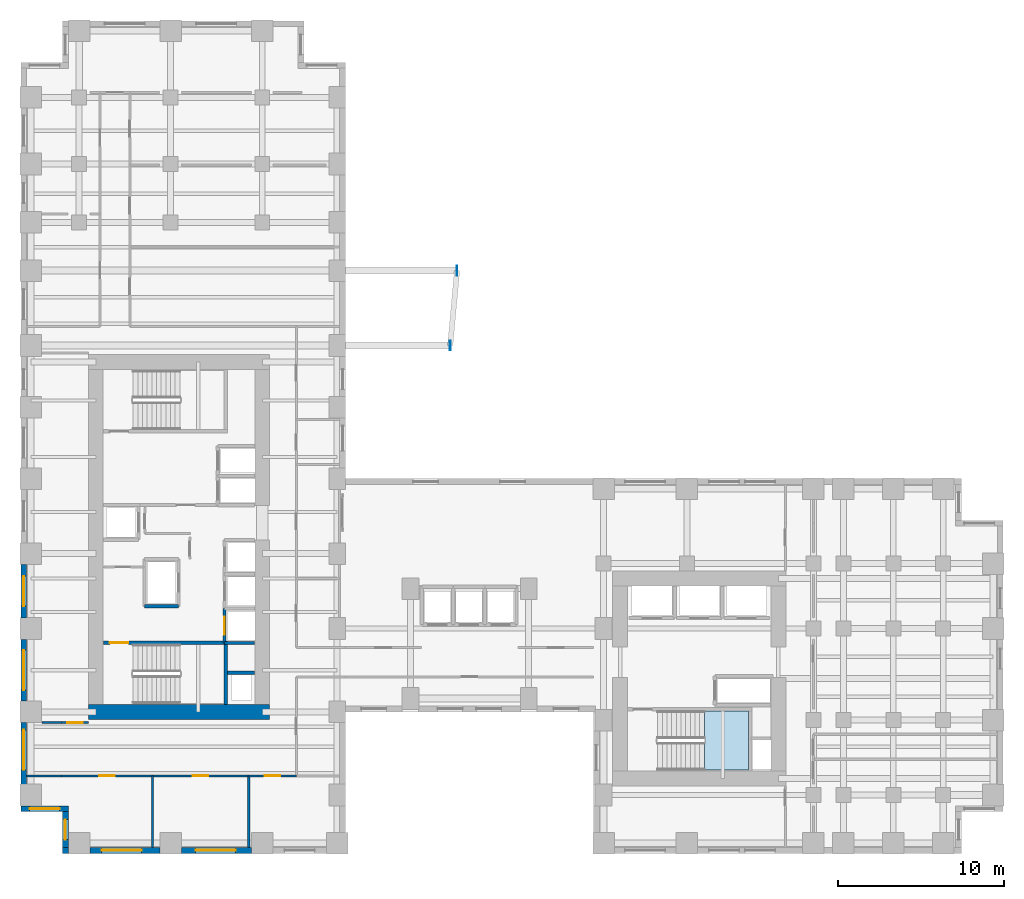
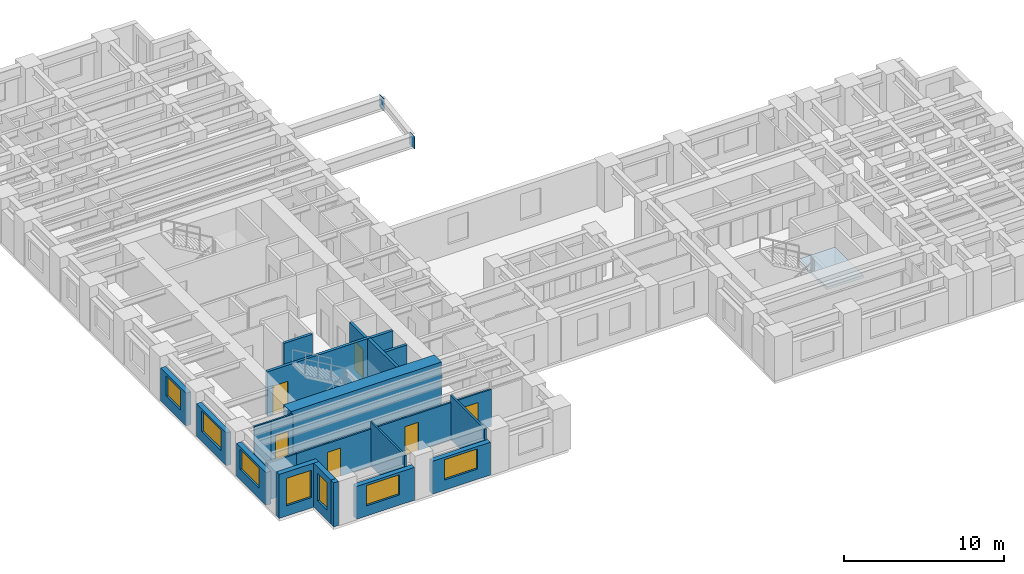
# One storey, part 5 of 13: 23 walls, 7 windows, 6 doors, 2 plates, 1 slab, 13 openings, 1 element without a shape of its own.
"""IFC4 building model written with IfcOpenShell, lengths in metres."""

from ifc_helpers import new_model, si_unit, direction, frame, frame_2d, origin, origin_2d, place, context, subcontext, project, spatial, polyline, rectangle, outline, extrude, source, transform, mapped, material, layer, layer_set, type_object, element, fill, aggregate, save


model = new_model("IFC4")

# Units and contexts
model_context = context("Model", 3, precision=1e-05, world=origin(), true_north=direction((0.0, 1.0)))
body_context = subcontext(model_context, "Body", "Model", "MODEL_VIEW")
ifc_project = project(units=[si_unit("LENGTHUNIT", "METRE"), si_unit("AREAUNIT", "SQUARE_METRE"), si_unit("VOLUMEUNIT", "CUBIC_METRE"), si_unit("PLANEANGLEUNIT", "RADIAN"), si_unit("MASSUNIT", "GRAM", prefix="KILO")], contexts=[model_context])

# Site, building, storey
site_placement = place(None, origin())
site = spatial("IfcSite", under=ifc_project, at=site_placement, CompositionType="ELEMENT")
building_placement = place(site_placement, origin())
building = spatial("IfcBuilding", under=site, at=building_placement, Name="Kharzan Plaza Tower", CompositionType="ELEMENT")
storey_placement = place(building_placement, frame((0.0, 0.0, 65.699951171875)))
storey = spatial("IfcBuildingStorey", under=building, at=storey_placement, Name="L17", CompositionType="ELEMENT", Elevation=65.699951171875)

# Stair, slab
ifc_material_1 = material(Name="Concrete C40/50", Category="concrete")
stair_type = type_object("IfcStairType", Name="STR-ST-3", PredefinedType="HALF_TURN_STAIR", material=ifc_material_1)
stair_placement = place(storey_placement, origin())
stair = element("IfcStair", 1, at=stair_placement, inside=storey, type_object=stair_type, Name="L17 Protected Exit Stair ST-3", PredefinedType="HALF_TURN_STAIR")
ifc_layer_1 = layer(ifc_material_1, 0.219970703125)
ifc_layer_set_1 = layer_set([ifc_layer_1], Name="Concrete C40/50")
slab_type = type_object("IfcSlabType", Name="SL-LANDING-220", PredefinedType="LANDING", material=ifc_layer_set_1)
slab_placement = place(storey_placement, frame((0.0, 0.0, 1.60009765625)))
slab = element("IfcSlab", 2, at=slab_placement, type_object=slab_type, Name="ST-3 landing 1", PredefinedType="LANDING", context=body_context, shape_type="SweptSolid", body=[
    extrude(outline(polyline([(41.050048828125, 5.0), (43.699951171875, 5.0), (43.699951171875, 8.550048828125), (41.050048828125, 8.550048828125), (41.050048828125, 5.0)])), origin(), (0.0, 0.0, 1.0), 0.199951171875),
])
aggregate(stair, [slab])

# Plates
ifc_material_2 = material(Name="Steel S460", Category="steel")
ifc_layer_2 = layer(ifc_material_2, 0.0419921875)
ifc_layer_set_2 = layer_set([ifc_layer_2], Name="Steel S460")
plate_type = type_object("IfcPlateType", Name="PLT-ZTN1", PredefinedType="USERDEFINED", material=ifc_layer_set_2)
shared_shape_1 = source(origin(), body_context, "Body", "SweptSolid", [
    extrude(rectangle(XDim=0.60009765625, YDim=0.0419921875, at=origin_2d()), origin(), (0.0, 0.0, 1.0), 0.949951171875),
])
for number, where, z_axis, x_axis, name in (
    (3, (25.7900390625, 30.5, 2.4365234375), (0.0, 0.0, 1.0), (0.0, 1.0, 0.0), "L17 Sky-Terrace Cantilever Tip Plate ZTN1"),
    (4, (26.199951171875, 35.0, 2.4365234375), (0.0, 0.0, 1.0), (0.0, 1.0, 0.0), "L17 Sky-Terrace Cantilever Tip Plate ZTN1"),
):
    element("IfcPlate", number, at=place(storey_placement, frame(where, z_axis=z_axis, x_axis=x_axis)), inside=storey, type_object=plate_type, Name=name, ObjectType="FLANGE_PLATE", PredefinedType="USERDEFINED", context=body_context, shape_type="MappedRepresentation", body=[
        mapped(shared_shape_1, transform((0.0, 0.0, 0.0), x_axis=(1.0, 0.0, 0.0), y_axis=(0.0, 1.0, 0.0), z_axis=(0.0, 0.0, 1.0))),
    ])

# Wall, opening, window
ifc_layer_3 = layer(ifc_material_1, 0.35009765625)
ifc_layer_set_3 = layer_set([ifc_layer_3], Name="Concrete C40/50")
wall_type_1 = type_object("IfcWallType", Name="WL-EXT-MAS-Z1", PredefinedType="SOLIDWALL", material=ifc_layer_set_3)
wall_1_placement = place(storey_placement, frame((0.175048828125, 17.35205078125, 0.0), z_axis=(0.0, 0.0, 1.0), x_axis=(0.0, -1.0, 0.0)))
wall_1 = element("IfcWall", 5, at=wall_1_placement, inside=storey, type_object=wall_type_1, Name="L17 Masonry-Frame Exterior Wall 17", PredefinedType="SOLIDWALL", context=body_context, shape_type="SweptSolid", body=[
    extrude(rectangle(XDim=3.2041015625, YDim=0.35009765625, at=frame_2d((1.60205078125, 0.0))), origin(), (0.0, 0.0, 1.0), 2.510009765625),
])
opening_1_placement = place(wall_1_placement, frame((0.701904296875, 0.0, 0.780029296875)))
opening_1 = element("IfcOpeningElement", 6, at=opening_1_placement, cuts=wall_1, Name="Opening W1", PredefinedType="OPENING", context=body_context, shape_type="SweptSolid", body=[
    extrude(rectangle(XDim=1.800048828125, YDim=1.550048828125, at=frame_2d((0.89990234375, 0.77490234375))), frame((0.0, 0.18505859375, 0.0), z_axis=(0.0, -1.0, 0.0), x_axis=(1.0, 0.0, 0.0)), (0.0, 0.0, 1.0), 0.3701171875),
])
ifc_material_3 = material(Name="Low-E Double Glazing", Category="glass")
window_type_1 = type_object("IfcWindowType", Name="WN-REC-1800x2100", PartitioningType="SINGLE_PANEL", PredefinedType="WINDOW", material=ifc_material_3)
shared_shape_2 = source(origin(), body_context, "Body", "SweptSolid", [
    extrude(rectangle(XDim=1.800048828125, YDim=1.550048828125, at=frame_2d((0.89990234375, 0.77490234375))), frame((0.0, 0.030029296875, 0.0), z_axis=(0.0, -1.0, 0.0), x_axis=(1.0, 0.0, 0.0)), (0.0, 0.0, 1.0), 0.06005859375),
])
window_1_placement = place(opening_1_placement, origin())
window_1 = element("IfcWindow", 7, at=window_1_placement, inside=storey, type_object=window_type_1, Name="L17 Recessed Solar-Control Window 17-1", OverallHeight=1.550048828125, OverallWidth=1.800048828125, PartitioningType="SINGLE_PANEL", PredefinedType="WINDOW", context=body_context, shape_type="MappedRepresentation", body=[
    mapped(shared_shape_2, transform((0.0, 0.0, 0.0), x_axis=(1.0, 0.0, 0.0), y_axis=(0.0, 1.0, 0.0), z_axis=(0.0, 0.0, 1.0))),
])
fill(opening_1, window_1)

wall_2_placement = place(storey_placement, frame((0.175048828125, 12.85205078125, 0.0), z_axis=(0.0, 0.0, 1.0), x_axis=(0.0, -1.0, 0.0)))
wall_2 = element("IfcWall", 8, at=wall_2_placement, inside=storey, type_object=wall_type_1, Name="L17 Masonry-Frame Exterior Wall 18", PredefinedType="SOLIDWALL", context=body_context, shape_type="SweptSolid", body=[
    extrude(rectangle(XDim=3.7041015625, YDim=0.35009765625, at=frame_2d((1.85205078125, 0.0))), origin(), (0.0, 0.0, 1.0), 2.510009765625),
])
opening_2_placement = place(wall_2_placement, frame((0.652099609375, 0.0, 0.780029296875)))
opening_2 = element("IfcOpeningElement", 9, at=opening_2_placement, cuts=wall_2, Name="Opening W2", PredefinedType="OPENING", context=body_context, shape_type="SweptSolid", body=[
    extrude(rectangle(XDim=2.39990234375, YDim=1.550048828125, at=frame_2d((1.199951171875, 0.77490234375))), frame((0.0, 0.18505859375, 0.0), z_axis=(0.0, -1.0, 0.0), x_axis=(1.0, 0.0, 0.0)), (0.0, 0.0, 1.0), 0.3701171875),
])
window_type_2 = type_object("IfcWindowType", Name="WN-REC-2400x2100", PartitioningType="SINGLE_PANEL", PredefinedType="WINDOW", material=ifc_material_3)
shared_shape_3 = source(origin(), body_context, "Body", "SweptSolid", [
    extrude(rectangle(XDim=2.39990234375, YDim=1.550048828125, at=frame_2d((1.199951171875, 0.77490234375))), frame((0.0, 0.030029296875, 0.0), z_axis=(0.0, -1.0, 0.0), x_axis=(1.0, 0.0, 0.0)), (0.0, 0.0, 1.0), 0.06005859375),
])
window_2_placement = place(opening_2_placement, origin())
window_2 = element("IfcWindow", 10, at=window_2_placement, inside=storey, type_object=window_type_2, Name="L17 Wide Recessed Solar-Control Window 18-1", OverallHeight=1.550048828125, OverallWidth=2.39990234375, PartitioningType="SINGLE_PANEL", PredefinedType="WINDOW", context=body_context, shape_type="MappedRepresentation", body=[
    mapped(shared_shape_3, transform((0.0, 0.0, 0.0), x_axis=(1.0, 0.0, 0.0), y_axis=(0.0, 1.0, 0.0), z_axis=(0.0, 0.0, 1.0))),
])
fill(opening_2, window_2)

wall_3_placement = place(storey_placement, frame((0.175048828125, 7.85205078125, 0.0), z_axis=(0.0, 0.0, 1.0), x_axis=(0.0, -1.0, 0.0)))
wall_3 = element("IfcWall", 11, at=wall_3_placement, inside=storey, type_object=wall_type_1, Name="L17 Masonry-Frame Exterior Wall 19", PredefinedType="SOLIDWALL", context=body_context, shape_type="SweptSolid", body=[
    extrude(rectangle(XDim=3.7041015625, YDim=0.35009765625, at=frame_2d((1.85205078125, 0.0))), origin(), (0.0, 0.0, 1.0), 2.510009765625),
])
opening_3_placement = place(wall_3_placement, frame((0.43603515625, 0.0, 0.780029296875)))
opening_3 = element("IfcOpeningElement", 12, at=opening_3_placement, cuts=wall_3, Name="Opening W2", PredefinedType="OPENING", context=body_context, shape_type="SweptSolid", body=[
    extrude(rectangle(XDim=2.39990234375, YDim=1.550048828125, at=frame_2d((1.199951171875, 0.77490234375))), frame((0.0, 0.18505859375, 0.0), z_axis=(0.0, -1.0, 0.0), x_axis=(1.0, 0.0, 0.0)), (0.0, 0.0, 1.0), 0.3701171875),
])
window_3_placement = place(opening_3_placement, origin())
window_3 = element("IfcWindow", 13, at=window_3_placement, inside=storey, type_object=window_type_2, Name="L17 Wide Recessed Solar-Control Window 19-1", OverallHeight=1.550048828125, OverallWidth=2.39990234375, PartitioningType="SINGLE_PANEL", PredefinedType="WINDOW", context=body_context, shape_type="MappedRepresentation", body=[
    mapped(shared_shape_3, transform((0.0, 0.0, 0.0), x_axis=(1.0, 0.0, 0.0), y_axis=(0.0, 1.0, 0.0), z_axis=(0.0, 0.0, 1.0))),
])
fill(opening_3, window_3)

wall_4_placement = place(storey_placement, frame((0.0, 2.675048828125, 0.0), z_axis=(0.0, 0.0, 1.0), x_axis=(1.0, 0.0, 0.0)))
wall_4 = element("IfcWall", 14, at=wall_4_placement, inside=storey, type_object=wall_type_1, Name="L17 Masonry-Frame Exterior Wall 20", PredefinedType="SOLIDWALL", context=body_context, shape_type="SweptSolid", body=[
    extrude(rectangle(XDim=2.85009765625, YDim=0.35009765625, at=frame_2d((1.425048828125, 0.0))), origin(), (0.0, 0.0, 1.0), 3.364990234375),
])
opening_4_placement = place(wall_4_placement, frame((0.52490234375, 0.0, 0.780029296875)))
opening_4 = element("IfcOpeningElement", 15, at=opening_4_placement, cuts=wall_4, Name="Opening W1", PredefinedType="OPENING", context=body_context, shape_type="SweptSolid", body=[
    extrude(rectangle(XDim=1.800048828125, YDim=2.10009765625, at=frame_2d((0.89990234375, 1.050048828125))), frame((0.0, 0.18505859375, 0.0), z_axis=(0.0, -1.0, 0.0), x_axis=(1.0, 0.0, 0.0)), (0.0, 0.0, 1.0), 0.3701171875),
])
shared_shape_4 = source(origin(), body_context, "Body", "SweptSolid", [
    extrude(rectangle(XDim=1.800048828125, YDim=2.10009765625, at=frame_2d((0.89990234375, 1.050048828125))), frame((0.0, 0.030029296875, 0.0), z_axis=(0.0, -1.0, 0.0), x_axis=(1.0, 0.0, 0.0)), (0.0, 0.0, 1.0), 0.06005859375),
])
window_4_placement = place(opening_4_placement, origin())
window_4 = element("IfcWindow", 16, at=window_4_placement, inside=storey, type_object=window_type_1, Name="L17 Recessed Solar-Control Window 20-1", OverallHeight=2.10009765625, OverallWidth=1.800048828125, PartitioningType="SINGLE_PANEL", PredefinedType="WINDOW", context=body_context, shape_type="MappedRepresentation", body=[
    mapped(shared_shape_4, transform((0.0, 0.0, 0.0), x_axis=(1.0, 0.0, 0.0), y_axis=(0.0, 1.0, 0.0), z_axis=(0.0, 0.0, 1.0))),
])
fill(opening_4, window_4)

wall_5_placement = place(storey_placement, frame((2.675048828125, 2.501953125, 0.0), z_axis=(0.0, 0.0, 1.0), x_axis=(0.0, -1.0, 0.0)))
wall_5 = element("IfcWall", 17, at=wall_5_placement, inside=storey, type_object=wall_type_1, Name="L17 Masonry-Frame Exterior Wall 21", PredefinedType="SOLIDWALL", context=body_context, shape_type="SweptSolid", body=[
    extrude(rectangle(XDim=2.154052734375, YDim=0.35009765625, at=frame_2d((1.0771484375, 0.0))), origin(), (0.0, 0.0, 1.0), 3.364990234375),
])
opening_5_placement = place(wall_5_placement, frame((0.47705078125, 0.0, 0.780029296875)))
opening_5 = element("IfcOpeningElement", 18, at=opening_5_placement, cuts=wall_5, Name="Opening W3", PredefinedType="OPENING", context=body_context, shape_type="SweptSolid", body=[
    extrude(rectangle(XDim=1.199951171875, YDim=2.10009765625, at=frame_2d((0.60009765625, 1.050048828125))), frame((0.0, 0.18505859375, 0.0), z_axis=(0.0, -1.0, 0.0), x_axis=(1.0, 0.0, 0.0)), (0.0, 0.0, 1.0), 0.3701171875),
])
window_type_3 = type_object("IfcWindowType", Name="WN-REC-1200x2100", PartitioningType="SINGLE_PANEL", PredefinedType="WINDOW", material=ifc_material_3)
shared_shape_5 = source(origin(), body_context, "Body", "SweptSolid", [
    extrude(rectangle(XDim=1.199951171875, YDim=2.10009765625, at=frame_2d((0.60009765625, 1.050048828125))), frame((0.0, 0.030029296875, 0.0), z_axis=(0.0, -1.0, 0.0), x_axis=(1.0, 0.0, 0.0)), (0.0, 0.0, 1.0), 0.06005859375),
])
window_5_placement = place(opening_5_placement, origin())
window_5 = element("IfcWindow", 19, at=window_5_placement, inside=storey, type_object=window_type_3, Name="L17 Recessed Solar-Control Window 21-1", OverallHeight=2.10009765625, OverallWidth=1.199951171875, PartitioningType="SINGLE_PANEL", PredefinedType="WINDOW", context=body_context, shape_type="MappedRepresentation", body=[
    mapped(shared_shape_5, transform((0.0, 0.0, 0.0), x_axis=(1.0, 0.0, 0.0), y_axis=(0.0, 1.0, 0.0), z_axis=(0.0, 0.0, 1.0))),
])
fill(opening_5, window_5)

wall_6_placement = place(storey_placement, frame((4.14794921875, 0.175048828125, 0.0), z_axis=(0.0, 0.0, 1.0), x_axis=(1.0, 0.0, 0.0)))
wall_6 = element("IfcWall", 20, at=wall_6_placement, inside=storey, type_object=wall_type_1, Name="L17 Masonry-Frame Exterior Wall 23", PredefinedType="SOLIDWALL", context=body_context, shape_type="SweptSolid", body=[
    extrude(rectangle(XDim=4.2041015625, YDim=0.35009765625, at=frame_2d((2.10205078125, 0.0))), origin(), (0.0, 0.0, 1.0), 2.510009765625),
])
opening_6_placement = place(wall_6_placement, frame((0.708984375, 0.0, 0.780029296875)))
opening_6 = element("IfcOpeningElement", 21, at=opening_6_placement, cuts=wall_6, Name="Opening W2", PredefinedType="OPENING", context=body_context, shape_type="SweptSolid", body=[
    extrude(rectangle(XDim=2.39990234375, YDim=1.550048828125, at=frame_2d((1.199951171875, 0.77490234375))), frame((0.0, 0.18505859375, 0.0), z_axis=(0.0, -1.0, 0.0), x_axis=(1.0, 0.0, 0.0)), (0.0, 0.0, 1.0), 0.3701171875),
])
window_6_placement = place(opening_6_placement, origin())
window_6 = element("IfcWindow", 22, at=window_6_placement, inside=storey, type_object=window_type_2, Name="L17 Wide Recessed Solar-Control Window 23-1", OverallHeight=1.550048828125, OverallWidth=2.39990234375, PartitioningType="SINGLE_PANEL", PredefinedType="WINDOW", context=body_context, shape_type="MappedRepresentation", body=[
    mapped(shared_shape_3, transform((0.0, 0.0, 0.0), x_axis=(1.0, 0.0, 0.0), y_axis=(0.0, 1.0, 0.0), z_axis=(0.0, 0.0, 1.0))),
])
fill(opening_6, window_6)

wall_7_placement = place(storey_placement, frame((9.64794921875, 0.175048828125, 0.0), z_axis=(0.0, 0.0, 1.0), x_axis=(1.0, 0.0, 0.0)))
wall_7 = element("IfcWall", 23, at=wall_7_placement, inside=storey, type_object=wall_type_1, Name="L17 Masonry-Frame Exterior Wall 24", PredefinedType="SOLIDWALL", context=body_context, shape_type="SweptSolid", body=[
    extrude(rectangle(XDim=4.2041015625, YDim=0.35009765625, at=frame_2d((2.10205078125, 0.0))), origin(), (0.0, 0.0, 1.0), 2.510009765625),
])
opening_7_placement = place(wall_7_placement, frame((0.85498046875, 0.0, 0.780029296875)))
opening_7 = element("IfcOpeningElement", 24, at=opening_7_placement, cuts=wall_7, Name="Opening W2", PredefinedType="OPENING", context=body_context, shape_type="SweptSolid", body=[
    extrude(rectangle(XDim=2.39990234375, YDim=1.550048828125, at=frame_2d((1.199951171875, 0.77490234375))), frame((0.0, 0.18505859375, 0.0), z_axis=(0.0, -1.0, 0.0), x_axis=(1.0, 0.0, 0.0)), (0.0, 0.0, 1.0), 0.3701171875),
])
window_7_placement = place(opening_7_placement, origin())
window_7 = element("IfcWindow", 25, at=window_7_placement, inside=storey, type_object=window_type_2, Name="L17 Wide Recessed Solar-Control Window 24-1", OverallHeight=1.550048828125, OverallWidth=2.39990234375, PartitioningType="SINGLE_PANEL", PredefinedType="WINDOW", context=body_context, shape_type="MappedRepresentation", body=[
    mapped(shared_shape_3, transform((0.0, 0.0, 0.0), x_axis=(1.0, 0.0, 0.0), y_axis=(0.0, 1.0, 0.0), z_axis=(0.0, 0.0, 1.0))),
])
fill(opening_7, window_7)

# Wall, opening, door
ifc_material_4 = material(Name="Fire-Rated Gypsum Board Partition", Category="gypsum")
ifc_layer_4 = layer(ifc_material_4, 0.125)
ifc_layer_set_4 = layer_set([ifc_layer_4], Name="Fire-Rated Gypsum Board Partition")
wall_type_2 = type_object("IfcWallType", Name="WL-INT-PART-125", PredefinedType="PARTITIONING", material=ifc_layer_set_4)
wall_8_placement = place(storey_placement, frame((2.449951171875, 7.85009765625, 0.0), z_axis=(0.0, 0.0, 1.0), x_axis=(1.0, 0.0, 0.0)))
wall_8 = element("IfcWall", 26, at=wall_8_placement, inside=storey, type_object=wall_type_2, Name="L17 Interior Partition SH-RWSD", PredefinedType="PARTITIONING", context=body_context, shape_type="SweptSolid", body=[
    extrude(rectangle(XDim=1.60009765625, YDim=0.125, at=frame_2d((0.800048828125, 0.0))), origin(), (0.0, 0.0, 1.0), 3.364990234375),
])
opening_8_placement = place(wall_8_placement, frame((0.324951171875, 0.0, 0.0)))
opening_8 = element("IfcOpeningElement", 27, at=opening_8_placement, cuts=wall_8, Name="Opening OD1", PredefinedType="OPENING", context=body_context, shape_type="SweptSolid", body=[
    extrude(rectangle(XDim=0.949951171875, YDim=2.14990234375, at=frame_2d((0.47509765625, 1.074951171875))), frame((0.0, 0.072509765625, 0.0), z_axis=(0.0, -1.0, 0.0), x_axis=(1.0, 0.0, 0.0)), (0.0, 0.0, 1.0), 0.14501953125),
])
ifc_material_5 = material(Name="Acoustic Solid-Core Stained Oak", Category="timber")
door_type_1 = type_object("IfcDoorType", Name="DR-OFF-SINGLE", OperationType="NOTDEFINED", PredefinedType="DOOR", material=ifc_material_5)
shared_shape_6 = source(origin(), body_context, "Body", "SweptSolid", [
    extrude(rectangle(XDim=0.949951171875, YDim=2.14990234375, at=frame_2d((0.47509765625, 1.074951171875))), frame((0.0, 0.02490234375, 0.0), z_axis=(0.0, -1.0, 0.0), x_axis=(1.0, 0.0, 0.0)), (0.0, 0.0, 1.0), 0.050048828125),
])
door_1_placement = place(opening_8_placement, origin())
door_1 = element("IfcDoor", 28, at=door_1_placement, inside=storey, type_object=door_type_1, Name="L17 West Studio South Door", OperationType="SINGLE_SWING_RIGHT", OverallHeight=2.14990234375, OverallWidth=0.949951171875, PredefinedType="DOOR", context=body_context, shape_type="MappedRepresentation", body=[
    mapped(shared_shape_6, transform((0.0, 0.0, 0.0), x_axis=(1.0, 0.0, 0.0), y_axis=(0.0, 1.0, 0.0), z_axis=(0.0, 0.0, 1.0))),
])
fill(opening_8, door_1)

wall_9_placement = place(storey_placement, frame((2.449951171875, 4.64990234375, 0.0), z_axis=(0.0, 0.0, 1.0), x_axis=(1.0, 0.0, 0.0)))
wall_9 = element("IfcWall", 29, at=wall_9_placement, inside=storey, type_object=wall_type_2, Name="L17 Interior Partition SH-SS-1", PredefinedType="PARTITIONING", context=body_context, shape_type="SweptSolid", body=[
    extrude(rectangle(XDim=5.446044921875, YDim=0.125, at=frame_2d((2.72314453125, 0.0))), origin(), (0.0, 0.0, 1.0), 2.828125),
])
opening_9_placement = place(wall_9_placement, frame((2.248046875, 0.0, 0.0)))
opening_9 = element("IfcOpeningElement", 30, at=opening_9_placement, cuts=wall_9, Name="Opening OD1", PredefinedType="OPENING", context=body_context, shape_type="SweptSolid", body=[
    extrude(rectangle(XDim=0.949951171875, YDim=2.14990234375, at=frame_2d((0.47509765625, 1.074951171875))), frame((0.0, 0.072509765625, 0.0), z_axis=(0.0, -1.0, 0.0), x_axis=(1.0, 0.0, 0.0)), (0.0, 0.0, 1.0), 0.14501953125),
])
door_2_placement = place(opening_9_placement, origin())
door_2 = element("IfcDoor", 31, at=door_2_placement, inside=storey, type_object=door_type_1, Name="L17 Departmental Office Door", OperationType="SINGLE_SWING_LEFT", OverallHeight=2.14990234375, OverallWidth=0.949951171875, PredefinedType="DOOR", context=body_context, shape_type="MappedRepresentation", body=[
    mapped(shared_shape_6, transform((0.0, 0.0, 0.0), x_axis=(1.0, 0.0, 0.0), y_axis=(0.0, 1.0, 0.0), z_axis=(0.0, 0.0, 1.0))),
])
fill(opening_9, door_2)

wall_10_placement = place(storey_placement, frame((7.89599609375, 4.64990234375, 0.0), z_axis=(0.0, 0.0, 1.0), x_axis=(1.0, 0.0, 0.0)))
wall_10 = element("IfcWall", 32, at=wall_10_placement, inside=storey, type_object=wall_type_2, Name="L17 Interior Partition SH-SS-2", PredefinedType="PARTITIONING", context=body_context, shape_type="SweptSolid", body=[
    extrude(rectangle(XDim=5.7919921875, YDim=0.125, at=frame_2d((2.89599609375, 0.0))), origin(), (0.0, 0.0, 1.0), 2.828125),
])
opening_10_placement = place(wall_10_placement, frame((2.4208984375, 0.0, 0.0)))
opening_10 = element("IfcOpeningElement", 33, at=opening_10_placement, cuts=wall_10, Name="Opening OD1", PredefinedType="OPENING", context=body_context, shape_type="SweptSolid", body=[
    extrude(rectangle(XDim=0.949951171875, YDim=2.14990234375, at=frame_2d((0.47509765625, 1.074951171875))), frame((0.0, 0.072509765625, 0.0), z_axis=(0.0, -1.0, 0.0), x_axis=(1.0, 0.0, 0.0)), (0.0, 0.0, 1.0), 0.14501953125),
])
door_3_placement = place(opening_10_placement, origin())
door_3 = element("IfcDoor", 34, at=door_3_placement, inside=storey, type_object=door_type_1, Name="L17 Conference Room Door", OperationType="SINGLE_SWING_RIGHT", OverallHeight=2.14990234375, OverallWidth=0.949951171875, PredefinedType="DOOR", context=body_context, shape_type="MappedRepresentation", body=[
    mapped(shared_shape_6, transform((0.0, 0.0, 0.0), x_axis=(1.0, 0.0, 0.0), y_axis=(0.0, 1.0, 0.0), z_axis=(0.0, 0.0, 1.0))),
])
fill(opening_10, door_3)

wall_11_placement = place(storey_placement, frame((13.68798828125, 4.64990234375, 0.0), z_axis=(0.0, 0.0, 1.0), x_axis=(1.0, 0.0, 0.0)))
wall_11 = element("IfcWall", 35, at=wall_11_placement, inside=storey, type_object=wall_type_2, Name="L17 Interior Partition SH-SS-3", PredefinedType="PARTITIONING", context=body_context, shape_type="SweptSolid", body=[
    extrude(rectangle(XDim=2.862060546875, YDim=0.125, at=frame_2d((1.43115234375, 0.0))), origin(), (0.0, 0.0, 1.0), 2.828125),
])
opening_11_placement = place(wall_11_placement, frame((0.9560546875, 0.0, 0.0)))
opening_11 = element("IfcOpeningElement", 36, at=opening_11_placement, cuts=wall_11, Name="Opening OD1", PredefinedType="OPENING", context=body_context, shape_type="SweptSolid", body=[
    extrude(rectangle(XDim=0.949951171875, YDim=2.14990234375, at=frame_2d((0.47509765625, 1.074951171875))), frame((0.0, 0.072509765625, 0.0), z_axis=(0.0, -1.0, 0.0), x_axis=(1.0, 0.0, 0.0)), (0.0, 0.0, 1.0), 0.14501953125),
])
door_4_placement = place(opening_11_placement, origin())
door_4 = element("IfcDoor", 37, at=door_4_placement, inside=storey, type_object=door_type_1, Name="L17 Client Briefing Room Door", OperationType="SINGLE_SWING_LEFT", OverallHeight=2.14990234375, OverallWidth=0.949951171875, PredefinedType="DOOR", context=body_context, shape_type="MappedRepresentation", body=[
    mapped(shared_shape_6, transform((0.0, 0.0, 0.0), x_axis=(1.0, 0.0, 0.0), y_axis=(0.0, 1.0, 0.0), z_axis=(0.0, 0.0, 1.0))),
])
fill(opening_11, door_4)

ifc_layer_5 = layer(ifc_material_1, 0.199951171875)
ifc_layer_set_5 = layer_set([ifc_layer_5], Name="Concrete C40/50")
wall_type_3 = type_object("IfcWallType", Name="WL-INT-SHAFT-200", PredefinedType="PARTITIONING", material=ifc_layer_set_5)
wall_12_placement = place(storey_placement, frame((12.22998046875, 12.6298828125, 0.0), z_axis=(0.0, 0.0, 1.0), x_axis=(0.0, 1.0, 0.0)))
wall_12 = element("IfcWall", 38, at=wall_12_placement, inside=storey, type_object=wall_type_3, Name="L17 Interior Partition SHF-PL-H1-W", PredefinedType="PARTITIONING", context=body_context, shape_type="SweptSolid", body=[
    extrude(rectangle(XDim=2.070068359375, YDim=0.199951171875, at=frame_2d((1.03515625, 0.0))), origin(), (0.0, 0.0, 1.0), 3.364990234375),
])
opening_12_placement = place(wall_12_placement, frame((0.485107421875, 0.0, 0.0)))
opening_12 = element("IfcOpeningElement", 39, at=opening_12_placement, cuts=wall_12, Name="Opening LD", PredefinedType="OPENING", context=body_context, shape_type="SweptSolid", body=[
    extrude(rectangle(XDim=1.10009765625, YDim=2.199951171875, at=frame_2d((0.550048828125, 1.10009765625))), frame((0.0, 0.10986328125, 0.0), z_axis=(0.0, -1.0, 0.0), x_axis=(1.0, 0.0, 0.0)), (0.0, 0.0, 1.0), 0.219970703125),
])
ifc_material_6 = material(Name="Brushed Stainless Steel", Category="steel")
door_type_2 = type_object("IfcDoorType", Name="DR-LIFT-SLIDE", OperationType="SLIDING_TO_LEFT", PredefinedType="DOOR", material=ifc_material_6)
shared_shape_7 = source(origin(), body_context, "Body", "SweptSolid", [
    extrude(rectangle(XDim=1.10009765625, YDim=2.199951171875, at=frame_2d((0.550048828125, 1.10009765625))), frame((0.0, 0.02490234375, 0.0), z_axis=(0.0, -1.0, 0.0), x_axis=(1.0, 0.0, 0.0)), (0.0, 0.0, 1.0), 0.050048828125),
])
door_5_placement = place(opening_12_placement, origin())
door_5 = element("IfcDoor", 40, at=door_5_placement, inside=storey, type_object=door_type_2, Name="L17 High-Rise Passenger Lift PL-H1 Sliding Landing Door", OperationType="SLIDING_TO_LEFT", OverallHeight=2.199951171875, OverallWidth=1.10009765625, PredefinedType="DOOR", context=body_context, shape_type="MappedRepresentation", body=[
    mapped(shared_shape_7, transform((0.0, 0.0, 0.0), x_axis=(1.0, 0.0, 0.0), y_axis=(0.0, 1.0, 0.0), z_axis=(0.0, 0.0, 1.0))),
])
fill(opening_12, door_5)

ifc_material_7 = material(Name="Concrete C50/60", Category="concrete")
ifc_layer_6 = layer(ifc_material_7, 0.199951171875)
ifc_layer_set_6 = layer_set([ifc_layer_6], Name="Concrete C50/60")
wall_type_4 = type_object("IfcWallType", Name="WL-SHAFT-RC200", PredefinedType="SHEAR", material=ifc_layer_set_6)
wall_13_placement = place(storey_placement, frame((4.951904296875, 12.655029296875, 0.0), z_axis=(0.0, 0.0, 1.0), x_axis=(1.0, 0.0, 0.0)))
wall_13 = element("IfcWall", 41, at=wall_13_placement, inside=storey, type_object=wall_type_4, Name="L17 Stair ST-1 North RC Shaft Wall", PredefinedType="SHEAR", context=body_context, shape_type="SweptSolid", body=[
    extrude(rectangle(XDim=7.453125, YDim=0.199951171875, at=frame_2d((3.7265625, 0.0))), origin(), (0.0, 0.0, 1.0), 3.380126953125),
])
opening_13_placement = place(wall_13_placement, frame((0.39990234375, 0.0, 0.0)))
opening_13 = element("IfcOpeningElement", 42, at=opening_13_placement, cuts=wall_13, Name="Opening SD1", PredefinedType="OPENING", context=body_context, shape_type="SweptSolid", body=[
    extrude(rectangle(XDim=1.10009765625, YDim=2.14990234375, at=frame_2d((0.550048828125, 1.074951171875))), frame((0.0, 0.10986328125, 0.0), z_axis=(0.0, -1.0, 0.0), x_axis=(1.0, 0.0, 0.0)), (0.0, 0.0, 1.0), 0.219970703125),
])
ifc_material_8 = material(Name="Fire-Rated Hollow Galvanized Steel", Category="steel")
door_type_3 = type_object("IfcDoorType", Name="DR-STAIR-FD120", OperationType="NOTDEFINED", PredefinedType="DOOR", material=ifc_material_8)
shared_shape_8 = source(origin(), body_context, "Body", "SweptSolid", [
    extrude(rectangle(XDim=1.10009765625, YDim=2.14990234375, at=frame_2d((0.550048828125, 1.074951171875))), frame((0.0, 0.02490234375, 0.0), z_axis=(0.0, -1.0, 0.0), x_axis=(1.0, 0.0, 0.0)), (0.0, 0.0, 1.0), 0.050048828125),
])
door_6_placement = place(opening_13_placement, origin())
door_6 = element("IfcDoor", 43, at=door_6_placement, inside=storey, type_object=door_type_3, Name="L17 Stair ST-1 Fire Exit Door", OperationType="SINGLE_SWING_LEFT", OverallHeight=2.14990234375, OverallWidth=1.10009765625, PredefinedType="DOOR", context=body_context, shape_type="MappedRepresentation", body=[
    mapped(shared_shape_8, transform((0.0, 0.0, 0.0), x_axis=(1.0, 0.0, 0.0), y_axis=(0.0, 1.0, 0.0), z_axis=(0.0, 0.0, 1.0))),
])
fill(opening_13, door_6)

# Walls
shared_shape_9 = source(origin(), body_context, "Body", "SweptSolid", [
    extrude(rectangle(XDim=0.35205078125, YDim=0.35009765625, at=frame_2d((0.176025390625, 0.0))), origin(), (0.0, 0.0, 1.0), 3.364990234375),
])
wall_14_placement = place(storey_placement, frame((2.5, 0.175048828125, 0.0), z_axis=(0.0, 0.0, 1.0), x_axis=(1.0, 0.0, 0.0)))
element("IfcWall", 44, at=wall_14_placement, inside=storey, type_object=wall_type_1, Name="L17 Masonry-Frame Exterior Wall 22", PredefinedType="SOLIDWALL", context=body_context, shape_type="MappedRepresentation", body=[
    mapped(shared_shape_9, transform((0.0, 0.0, 0.0), x_axis=(1.0, 0.0, 0.0), y_axis=(0.0, 1.0, 0.0), z_axis=(0.0, 0.0, 1.0))),
])
shared_shape_10 = source(origin(), body_context, "Body", "SweptSolid", [
    extrude(rectangle(XDim=1.18994140625, YDim=0.125, at=frame_2d((0.594970703125, 0.0))), origin(), (0.0, 0.0, 1.0), 3.364990234375),
])
wall_15_placement = place(storey_placement, frame((1.260009765625, 7.85009765625, 0.0), z_axis=(0.0, 0.0, 1.0), x_axis=(1.0, 0.0, 0.0)))
element("IfcWall", 45, at=wall_15_placement, inside=storey, type_object=wall_type_2, Name="L17 Interior Partition SH-RWS0", PredefinedType="PARTITIONING", context=body_context, shape_type="MappedRepresentation", body=[
    mapped(shared_shape_10, transform((0.0, 0.0, 0.0), x_axis=(1.0, 0.0, 0.0), y_axis=(0.0, 1.0, 0.0), z_axis=(0.0, 0.0, 1.0))),
])
shared_shape_11 = source(origin(), body_context, "Body", "SweptSolid", [
    extrude(rectangle(XDim=4.2978515625, YDim=0.125, at=frame_2d((2.14892578125, 0.0))), origin(), (0.0, 0.0, 1.0), 3.364990234375),
])
for number, where, z_axis, x_axis, name in (
    (46, (7.89599609375, 0.35205078125, 0.0), (0.0, 0.0, 1.0), (0.0, 1.0, 0.0), "L17 Interior Partition SH-SV-1"),
    (47, (13.68798828125, 0.35205078125, 0.0), (0.0, 0.0, 1.0), (0.0, 1.0, 0.0), "L17 Interior Partition SH-SV-2"),
):
    element("IfcWall", number, at=place(storey_placement, frame(where, z_axis=z_axis, x_axis=x_axis)), inside=storey, type_object=wall_type_2, Name=name, PredefinedType="PARTITIONING", context=body_context, shape_type="MappedRepresentation", body=[
        mapped(shared_shape_11, transform((0.0, 0.0, 0.0), x_axis=(1.0, 0.0, 0.0), y_axis=(0.0, 1.0, 0.0), z_axis=(0.0, 0.0, 1.0))),
    ])
shared_shape_12 = source(origin(), body_context, "Body", "SweptSolid", [
    extrude(rectangle(XDim=1.60009765625, YDim=0.199951171875, at=frame_2d((0.800048828125, 0.0))), origin(), (0.0, 0.0, 1.0), 3.364990234375),
])
wall_16_placement = place(storey_placement, frame((12.419921875, 10.85009765625, 0.0), z_axis=(0.0, 0.0, 1.0), x_axis=(1.0, 0.0, 0.0)))
element("IfcWall", 48, at=wall_16_placement, inside=storey, type_object=wall_type_3, Name="L17 Interior Partition CA-RSRA-N", PredefinedType="PARTITIONING", context=body_context, shape_type="MappedRepresentation", body=[
    mapped(shared_shape_12, transform((0.0, 0.0, 0.0), x_axis=(1.0, 0.0, 0.0), y_axis=(0.0, 1.0, 0.0), z_axis=(0.0, 0.0, 1.0))),
])
shared_shape_13 = source(origin(), body_context, "Body", "SweptSolid", [
    extrude(rectangle(XDim=1.7900390625, YDim=0.199951171875, at=frame_2d((0.89501953125, 0.0))), origin(), (0.0, 0.0, 1.0), 3.364990234375),
])
wall_17_placement = place(storey_placement, frame((12.22998046875, 12.6298828125, 0.0), z_axis=(0.0, 0.0, 1.0), x_axis=(1.0, 0.0, 0.0)))
element("IfcWall", 49, at=wall_17_placement, inside=storey, type_object=wall_type_3, Name="L17 Interior Partition SHF-PL-H1-S", PredefinedType="PARTITIONING", context=body_context, shape_type="MappedRepresentation", body=[
    mapped(shared_shape_13, transform((0.0, 0.0, 0.0), x_axis=(1.0, 0.0, 0.0), y_axis=(0.0, 1.0, 0.0), z_axis=(0.0, 0.0, 1.0))),
])
shared_shape_14 = source(origin(), body_context, "Body", "SweptSolid", [
    extrude(rectangle(XDim=2.0400390625, YDim=0.199951171875, at=frame_2d((1.02001953125, 0.0))), origin(), (0.0, 0.0, 1.0), 3.364990234375),
])
wall_18_placement = place(storey_placement, frame((7.429931640625, 14.830078125, 0.0), z_axis=(0.0, 0.0, 1.0), x_axis=(1.0, 0.0, 0.0)))
element("IfcWall", 50, at=wall_18_placement, inside=storey, type_object=wall_type_3, Name="L17 Interior Partition SHF-SVL-1-S", PredefinedType="PARTITIONING", context=body_context, shape_type="MappedRepresentation", body=[
    mapped(shared_shape_14, transform((0.0, 0.0, 0.0), x_axis=(1.0, 0.0, 0.0), y_axis=(0.0, 1.0, 0.0), z_axis=(0.0, 0.0, 1.0))),
])
ifc_material_9 = material(Name="Concrete C60/75", Category="concrete")
ifc_layer_7 = layer(ifc_material_9, 0.89990234375)
ifc_layer_set_7 = layer_set([ifc_layer_7], Name="Concrete C60/75")
wall_type_5 = type_object("IfcWallType", Name="WL-CORE-900", PredefinedType="SHEAR", material=ifc_layer_set_7)
shared_shape_15 = source(origin(), body_context, "Body", "SweptSolid", [
    extrude(rectangle(XDim=10.89990234375, YDim=0.89990234375, at=frame_2d((5.449951171875, 0.0))), origin(), (0.0, 0.0, 1.0), 3.380126953125),
])
wall_19_placement = place(storey_placement, frame((4.050048828125, 8.5, 0.0), z_axis=(0.0, 0.0, 1.0), x_axis=(1.0, 0.0, 0.0)))
element("IfcWall", 51, at=wall_19_placement, inside=storey, type_object=wall_type_5, Name="L17 CORE-A south RC shear wall", PredefinedType="SHEAR", context=body_context, shape_type="MappedRepresentation", body=[
    mapped(shared_shape_15, transform((0.0, 0.0, 0.0), x_axis=(1.0, 0.0, 0.0), y_axis=(0.0, 1.0, 0.0), z_axis=(0.0, 0.0, 1.0))),
])
shared_shape_16 = source(origin(), body_context, "Body", "SweptSolid", [
    extrude(rectangle(XDim=2.097900390625, YDim=0.125, at=frame_2d((1.048828125, 0.0))), origin(), (0.0, 0.0, 1.0), 2.828125),
])
wall_20_placement = place(storey_placement, frame((0.35205078125, 4.64990234375, 0.0), z_axis=(0.0, 0.0, 1.0), x_axis=(1.0, 0.0, 0.0)))
element("IfcWall", 52, at=wall_20_placement, inside=storey, type_object=wall_type_2, Name="L17 Interior Partition SH-SS-EXT", PredefinedType="PARTITIONING", context=body_context, shape_type="MappedRepresentation", body=[
    mapped(shared_shape_16, transform((0.0, 0.0, 0.0), x_axis=(1.0, 0.0, 0.0), y_axis=(0.0, 1.0, 0.0), z_axis=(0.0, 0.0, 1.0))),
])
shared_shape_17 = source(origin(), body_context, "Body", "SweptSolid", [
    extrude(rectangle(XDim=3.60302734375, YDim=0.199951171875, at=frame_2d((1.801513671875, 0.0))), origin(), (0.0, 0.0, 1.0), 3.380126953125),
])
wall_21_placement = place(storey_placement, frame((12.304931640625, 8.951904296875, 0.0), z_axis=(0.0, 0.0, 1.0), x_axis=(0.0, 1.0, 0.0)))
element("IfcWall", 53, at=wall_21_placement, inside=storey, type_object=wall_type_4, Name="L17 Stair ST-1 East RC Shaft Wall", PredefinedType="SHEAR", context=body_context, shape_type="MappedRepresentation", body=[
    mapped(shared_shape_17, transform((0.0, 0.0, 0.0), x_axis=(1.0, 0.0, 0.0), y_axis=(0.0, 1.0, 0.0), z_axis=(0.0, 0.0, 1.0))),
])

save(model, "model.ifc")
